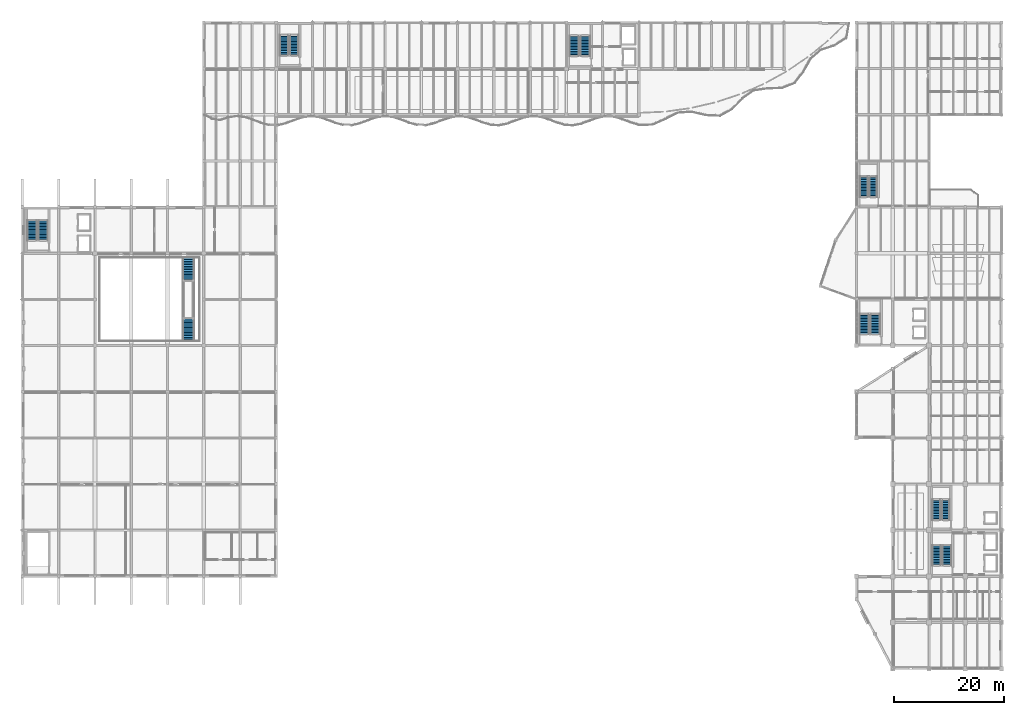
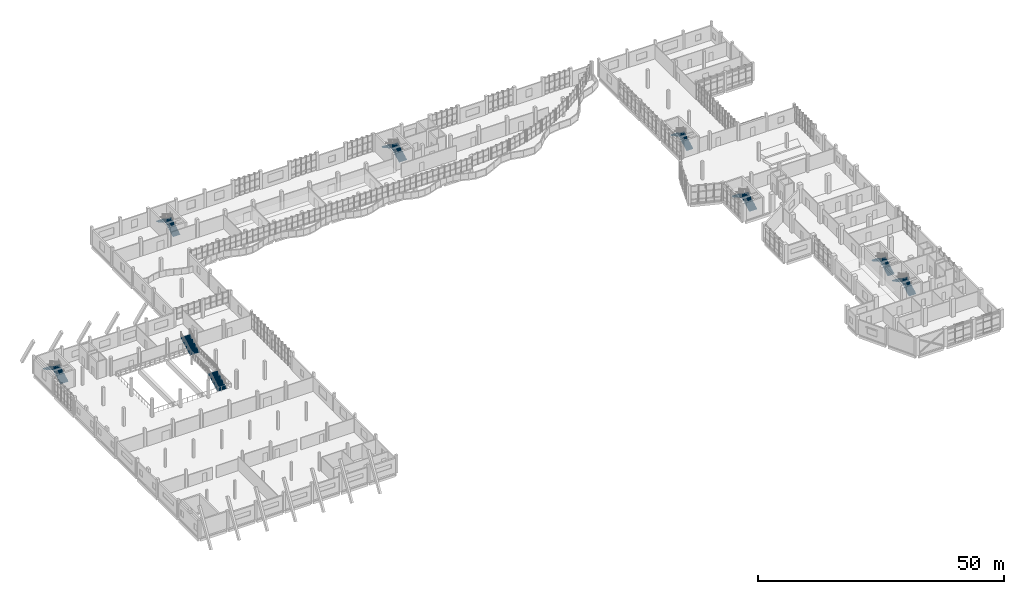
# One storey, part 55 of 76: 16 stair flights, 8 elements without a shape of their own.
"""IFC4 building model written with IfcOpenShell, lengths in metres."""

from ifc_helpers import new_model, si_unit, direction, frame, origin, place, context, subcontext, project, spatial, polyline, outline, extrude, material, type_object, element, aggregate, save


model = new_model("IFC4")

# Units and contexts
model_context = context("Model", 3, precision=1e-05, world=origin(), true_north=direction((0.0, 1.0)))
body_context = subcontext(model_context, "Body", "Model", "MODEL_VIEW")
ifc_project = project(units=[si_unit("LENGTHUNIT", "METRE"), si_unit("AREAUNIT", "SQUARE_METRE"), si_unit("VOLUMEUNIT", "CUBIC_METRE"), si_unit("PLANEANGLEUNIT", "RADIAN"), si_unit("MASSUNIT", "GRAM", prefix="KILO")], contexts=[model_context])

# Site, building, storey
site_placement = place(None, origin())
site = spatial("IfcSite", under=ifc_project, at=site_placement, CompositionType="ELEMENT")
building_placement = place(site_placement, origin())
building = spatial("IfcBuilding", under=site, at=building_placement, Name="Qaldarim Faculty of Natural and Applied Sciences", CompositionType="ELEMENT")
storey_placement = place(building_placement, frame((0.0, 0.0, 9.89990234375)))
storey = spatial("IfcBuildingStorey", under=building, at=storey_placement, Name="L02", CompositionType="ELEMENT", Elevation=9.89990234375)

# Stair, stair flights
ifc_material = material(Name="Concrete C40/50", Category="concrete")
stair_type_1 = type_object("IfcStairType", Name="FeatureStraightStair-W2100-H4500", PredefinedType="STRAIGHT_RUN_STAIR", material=ifc_material)
stair_1_placement = place(storey_placement, origin())
stair_1 = element("IfcStair", 1, at=stair_1_placement, inside=storey, type_object=stair_type_1, Name="Atrium monumental stair L02", PredefinedType="STRAIGHT_RUN_STAIR")
stair_flight_type_1 = type_object("IfcStairFlightType", Name="FeatureFlight-W2100-14R", PredefinedType="STRAIGHT", material=ifc_material)
stair_flight_1_placement = place(storey_placement, frame((30.199951171875, 59.68505859375, 0.0), z_axis=(0.0, 0.0, 1.0), x_axis=(0.0, 1.0, 0.0)))
stair_flight_1 = element("IfcStairFlight", 2, at=stair_flight_1_placement, type_object=stair_flight_type_1, Name="Atrium monumental stair L02 flight 1", NumberOfRisers=14, NumberOfTreads=13, PredefinedType="STRAIGHT", RiserHeight=0.160714, TreadLength=0.3, context=body_context, shape_type="SweptSolid", body=[
    extrude(outline(polyline([(0.0, 0.0), (0.0, 0.16064453125), (0.300048828125, 0.16064453125), (0.300048828125, 0.321533203125), (0.60009765625, 0.321533203125), (0.60009765625, 0.482177734375), (0.89990234375, 0.482177734375), (0.89990234375, 0.642822265625), (1.199951171875, 0.642822265625), (1.199951171875, 0.803466796875), (1.5, 0.803466796875), (1.5, 0.96435546875), (1.800048828125, 0.96435546875), (1.800048828125, 1.125), (2.10009765625, 1.125), (2.10009765625, 1.28564453125), (2.39990234375, 1.28564453125), (2.39990234375, 1.446533203125), (2.699951171875, 1.446533203125), (2.699951171875, 1.607177734375), (3.0, 1.607177734375), (3.0, 1.767822265625), (3.300048828125, 1.767822265625), (3.300048828125, 1.928466796875), (3.60009765625, 1.928466796875), (3.60009765625, 2.08935546875), (3.89990234375, 2.08935546875), (3.89990234375, 2.25), (3.89990234375, 1.88525390625), (0.381103515625, 0.0), (0.0, 0.0)])), frame((0.0, 1.050048828125, 0.0), z_axis=(0.0, -1.0, 0.0), x_axis=(1.0, 0.0, 0.0)), (0.0, 0.0, 1.0), 2.10009765625),
])
stair_flight_2_placement = place(storey_placement, frame((30.199951171875, 70.81494140625, 2.25), z_axis=(0.0, 0.0, 1.0), x_axis=(0.0, 1.0, 0.0)))
stair_flight_2 = element("IfcStairFlight", 3, at=stair_flight_2_placement, type_object=stair_flight_type_1, Name="Atrium monumental stair L02 flight 2", NumberOfRisers=14, NumberOfTreads=13, PredefinedType="STRAIGHT", RiserHeight=0.160714, TreadLength=0.3, context=body_context, shape_type="SweptSolid", body=[
    extrude(outline(polyline([(0.0, 0.0), (0.0, 0.16064453125), (0.300048828125, 0.16064453125), (0.300048828125, 0.321533203125), (0.60009765625, 0.321533203125), (0.60009765625, 0.482177734375), (0.89990234375, 0.482177734375), (0.89990234375, 0.642822265625), (1.199951171875, 0.642822265625), (1.199951171875, 0.803466796875), (1.5, 0.803466796875), (1.5, 0.96435546875), (1.800048828125, 0.96435546875), (1.800048828125, 1.125), (2.10009765625, 1.125), (2.10009765625, 1.28564453125), (2.39990234375, 1.28564453125), (2.39990234375, 1.446533203125), (2.699951171875, 1.446533203125), (2.699951171875, 1.607177734375), (3.0, 1.607177734375), (3.0, 1.767822265625), (3.300048828125, 1.767822265625), (3.300048828125, 1.928466796875), (3.60009765625, 1.928466796875), (3.60009765625, 2.08935546875), (3.89990234375, 2.08935546875), (3.89990234375, 2.25), (3.89990234375, 1.88525390625), (0.381103515625, 0.0), (0.0, 0.0)])), frame((0.0, 1.050048828125, 0.0), z_axis=(0.0, -1.0, 0.0), x_axis=(1.0, 0.0, 0.0)), (0.0, 0.0, 1.0), 2.10009765625),
])
aggregate(stair_1, [stair_flight_1, stair_flight_2])

stair_type_2 = type_object("IfcStairType", Name="DoglegStair-W1500-H4500-28R", PredefinedType="HALF_TURN_STAIR", material=ifc_material)
stair_2_placement = place(storey_placement, origin())
stair_2 = element("IfcStair", 4, at=stair_2_placement, inside=storey, type_object=stair_type_2, Name="Enclosed exit stair ST-A2 L02", PredefinedType="HALF_TURN_STAIR")
stair_flight_type_2 = type_object("IfcStairFlightType", Name="StairFlight-W1500-14R", PredefinedType="STRAIGHT", material=ifc_material)
stair_flight_3_placement = place(storey_placement, frame((168.050048828125, 27.050048828125, 0.0), z_axis=(0.0, 0.0, 1.0), x_axis=(0.0, 1.0, 0.0)))
stair_flight_3 = element("IfcStairFlight", 5, at=stair_flight_3_placement, type_object=stair_flight_type_2, Name="ST-A2 L02 flight 1", NumberOfRisers=14, NumberOfTreads=13, PredefinedType="STRAIGHT", RiserHeight=0.160714286, TreadLength=0.285, context=body_context, shape_type="SweptSolid", body=[
    extrude(outline(polyline([(0.0, 0.0), (0.0, 0.16064453125), (0.284912109375, 0.16064453125), (0.284912109375, 0.321533203125), (0.570068359375, 0.321533203125), (0.570068359375, 0.482177734375), (0.85498046875, 0.482177734375), (0.85498046875, 0.642822265625), (1.139892578125, 0.642822265625), (1.139892578125, 0.803466796875), (1.425048828125, 0.803466796875), (1.425048828125, 0.96435546875), (1.7099609375, 0.96435546875), (1.7099609375, 1.125), (1.9951171875, 1.125), (1.9951171875, 1.28564453125), (2.280029296875, 1.28564453125), (2.280029296875, 1.446533203125), (2.56494140625, 1.446533203125), (2.56494140625, 1.607177734375), (2.85009765625, 1.607177734375), (2.85009765625, 1.767822265625), (3.135009765625, 1.767822265625), (3.135009765625, 1.928466796875), (3.419921875, 1.928466796875), (3.419921875, 2.08935546875), (3.705078125, 2.08935546875), (3.705078125, 2.25), (3.705078125, 1.917236328125), (0.30517578125, 0.0), (0.0, 0.0)])), frame((0.0, 0.75, 0.0), z_axis=(0.0, -1.0, 0.0), x_axis=(1.0, 0.0, 0.0)), (0.0, 0.0, 1.0), 1.5),
])
stair_flight_4_placement = place(storey_placement, frame((166.35009765625, 30.7548828125, 2.25), z_axis=(0.0, 0.0, 1.0), x_axis=(0.0, -1.0, 0.0)))
stair_flight_4 = element("IfcStairFlight", 6, at=stair_flight_4_placement, type_object=stair_flight_type_2, Name="ST-A2 L02 flight 2", NumberOfRisers=14, NumberOfTreads=13, PredefinedType="STRAIGHT", RiserHeight=0.160714286, TreadLength=0.285, context=body_context, shape_type="SweptSolid", body=[
    extrude(outline(polyline([(0.0, 0.0), (0.0, 0.16064453125), (0.284912109375, 0.16064453125), (0.284912109375, 0.321533203125), (0.570068359375, 0.321533203125), (0.570068359375, 0.482177734375), (0.85498046875, 0.482177734375), (0.85498046875, 0.642822265625), (1.139892578125, 0.642822265625), (1.139892578125, 0.803466796875), (1.425048828125, 0.803466796875), (1.425048828125, 0.96435546875), (1.7099609375, 0.96435546875), (1.7099609375, 1.125), (1.9951171875, 1.125), (1.9951171875, 1.28564453125), (2.280029296875, 1.28564453125), (2.280029296875, 1.446533203125), (2.56494140625, 1.446533203125), (2.56494140625, 1.607177734375), (2.85009765625, 1.607177734375), (2.85009765625, 1.767822265625), (3.135009765625, 1.767822265625), (3.135009765625, 1.928466796875), (3.419921875, 1.928466796875), (3.419921875, 2.08935546875), (3.705078125, 2.08935546875), (3.705078125, 2.25), (3.705078125, 1.917236328125), (0.30517578125, 0.0), (0.0, 0.0)])), frame((0.0, 0.75, 0.0), z_axis=(0.0, -1.0, 0.0), x_axis=(1.0, 0.0, 0.0)), (0.0, 0.0, 1.0), 1.5),
])
aggregate(stair_2, [stair_flight_3, stair_flight_4])

stair_3_placement = place(storey_placement, origin())
stair_3 = element("IfcStair", 7, at=stair_3_placement, inside=storey, type_object=stair_type_2, Name="Enclosed exit stair ST-C2 L02", PredefinedType="HALF_TURN_STAIR")
stair_flight_5_placement = place(storey_placement, frame((154.85009765625, 85.85009765625, 0.0), z_axis=(0.0, 0.0, 1.0), x_axis=(0.0, 1.0, 0.0)))
stair_flight_5 = element("IfcStairFlight", 8, at=stair_flight_5_placement, type_object=stair_flight_type_2, Name="ST-C2 L02 flight 1", NumberOfRisers=14, NumberOfTreads=13, PredefinedType="STRAIGHT", RiserHeight=0.160714286, TreadLength=0.285, context=body_context, shape_type="SweptSolid", body=[
    extrude(outline(polyline([(0.0, 0.0), (0.0, 0.16064453125), (0.284912109375, 0.16064453125), (0.284912109375, 0.321533203125), (0.570068359375, 0.321533203125), (0.570068359375, 0.482177734375), (0.85498046875, 0.482177734375), (0.85498046875, 0.642822265625), (1.139892578125, 0.642822265625), (1.139892578125, 0.803466796875), (1.425048828125, 0.803466796875), (1.425048828125, 0.96435546875), (1.7099609375, 0.96435546875), (1.7099609375, 1.125), (1.9951171875, 1.125), (1.9951171875, 1.28564453125), (2.280029296875, 1.28564453125), (2.280029296875, 1.446533203125), (2.56494140625, 1.446533203125), (2.56494140625, 1.607177734375), (2.85009765625, 1.607177734375), (2.85009765625, 1.767822265625), (3.135009765625, 1.767822265625), (3.135009765625, 1.928466796875), (3.419921875, 1.928466796875), (3.419921875, 2.08935546875), (3.705078125, 2.08935546875), (3.705078125, 2.25), (3.705078125, 1.917236328125), (0.30517578125, 0.0), (0.0, 0.0)])), frame((0.0, 0.75, 0.0), z_axis=(0.0, -1.0, 0.0), x_axis=(1.0, 0.0, 0.0)), (0.0, 0.0, 1.0), 1.5),
])
stair_flight_6_placement = place(storey_placement, frame((153.14990234375, 89.554931640625, 2.25), z_axis=(0.0, 0.0, 1.0), x_axis=(0.0, -1.0, 0.0)))
stair_flight_6 = element("IfcStairFlight", 9, at=stair_flight_6_placement, type_object=stair_flight_type_2, Name="ST-C2 L02 flight 2", NumberOfRisers=14, NumberOfTreads=13, PredefinedType="STRAIGHT", RiserHeight=0.160714286, TreadLength=0.285, context=body_context, shape_type="SweptSolid", body=[
    extrude(outline(polyline([(0.0, 0.0), (0.0, 0.16064453125), (0.284912109375, 0.16064453125), (0.284912109375, 0.321533203125), (0.570068359375, 0.321533203125), (0.570068359375, 0.482177734375), (0.85498046875, 0.482177734375), (0.85498046875, 0.642822265625), (1.139892578125, 0.642822265625), (1.139892578125, 0.803466796875), (1.425048828125, 0.803466796875), (1.425048828125, 0.96435546875), (1.7099609375, 0.96435546875), (1.7099609375, 1.125), (1.9951171875, 1.125), (1.9951171875, 1.28564453125), (2.280029296875, 1.28564453125), (2.280029296875, 1.446533203125), (2.56494140625, 1.446533203125), (2.56494140625, 1.607177734375), (2.85009765625, 1.607177734375), (2.85009765625, 1.767822265625), (3.135009765625, 1.767822265625), (3.135009765625, 1.928466796875), (3.419921875, 1.928466796875), (3.419921875, 2.08935546875), (3.705078125, 2.08935546875), (3.705078125, 2.25), (3.705078125, 1.917236328125), (0.30517578125, 0.0), (0.0, 0.0)])), frame((0.0, 0.75, 0.0), z_axis=(0.0, -1.0, 0.0), x_axis=(1.0, 0.0, 0.0)), (0.0, 0.0, 1.0), 1.5),
])
aggregate(stair_3, [stair_flight_5, stair_flight_6])

stair_type_3 = type_object("IfcStairType", Name="DoglegStair-W1650-H4500-28R", PredefinedType="HALF_TURN_STAIR", material=ifc_material)
stair_4_placement = place(storey_placement, origin())
stair_4 = element("IfcStair", 10, at=stair_4_placement, inside=storey, type_object=stair_type_3, Name="Enclosed exit stair ST-A1 L02", PredefinedType="HALF_TURN_STAIR")
stair_flight_type_3 = type_object("IfcStairFlightType", Name="StairFlight-W1650-14R", PredefinedType="STRAIGHT", material=ifc_material)
stair_flight_7_placement = place(storey_placement, frame((168.27490234375, 18.75, 0.0), z_axis=(0.0, 0.0, 1.0), x_axis=(0.0, 1.0, 0.0)))
stair_flight_7 = element("IfcStairFlight", 11, at=stair_flight_7_placement, type_object=stair_flight_type_3, Name="ST-A1 L02 flight 1", NumberOfRisers=14, NumberOfTreads=13, PredefinedType="STRAIGHT", RiserHeight=0.160714286, TreadLength=0.285, context=body_context, shape_type="SweptSolid", body=[
    extrude(outline(polyline([(0.0, 0.0), (0.0, 0.16064453125), (0.284912109375, 0.16064453125), (0.284912109375, 0.321533203125), (0.570068359375, 0.321533203125), (0.570068359375, 0.482177734375), (0.85498046875, 0.482177734375), (0.85498046875, 0.642822265625), (1.139892578125, 0.642822265625), (1.139892578125, 0.803466796875), (1.425048828125, 0.803466796875), (1.425048828125, 0.96435546875), (1.7099609375, 0.96435546875), (1.7099609375, 1.125), (1.9951171875, 1.125), (1.9951171875, 1.28564453125), (2.280029296875, 1.28564453125), (2.280029296875, 1.446533203125), (2.56494140625, 1.446533203125), (2.56494140625, 1.607177734375), (2.85009765625, 1.607177734375), (2.85009765625, 1.767822265625), (3.135009765625, 1.767822265625), (3.135009765625, 1.928466796875), (3.419921875, 1.928466796875), (3.419921875, 2.08935546875), (3.705078125, 2.08935546875), (3.705078125, 2.25), (3.705078125, 1.917236328125), (0.30517578125, 0.0), (0.0, 0.0)])), frame((0.0, 0.824951171875, 0.0), z_axis=(0.0, -1.0, 0.0), x_axis=(1.0, 0.0, 0.0)), (0.0, 0.0, 1.0), 1.64990234375),
])
stair_flight_8_placement = place(storey_placement, frame((166.425048828125, 22.455078125, 2.25), z_axis=(0.0, 0.0, 1.0), x_axis=(0.0, -1.0, 0.0)))
stair_flight_8 = element("IfcStairFlight", 12, at=stair_flight_8_placement, type_object=stair_flight_type_3, Name="ST-A1 L02 flight 2", NumberOfRisers=14, NumberOfTreads=13, PredefinedType="STRAIGHT", RiserHeight=0.160714286, TreadLength=0.285, context=body_context, shape_type="SweptSolid", body=[
    extrude(outline(polyline([(0.0, 0.0), (0.0, 0.16064453125), (0.284912109375, 0.16064453125), (0.284912109375, 0.321533203125), (0.570068359375, 0.321533203125), (0.570068359375, 0.482177734375), (0.85498046875, 0.482177734375), (0.85498046875, 0.642822265625), (1.139892578125, 0.642822265625), (1.139892578125, 0.803466796875), (1.425048828125, 0.803466796875), (1.425048828125, 0.96435546875), (1.7099609375, 0.96435546875), (1.7099609375, 1.125), (1.9951171875, 1.125), (1.9951171875, 1.28564453125), (2.280029296875, 1.28564453125), (2.280029296875, 1.446533203125), (2.56494140625, 1.446533203125), (2.56494140625, 1.607177734375), (2.85009765625, 1.607177734375), (2.85009765625, 1.767822265625), (3.135009765625, 1.767822265625), (3.135009765625, 1.928466796875), (3.419921875, 1.928466796875), (3.419921875, 2.08935546875), (3.705078125, 2.08935546875), (3.705078125, 2.25), (3.705078125, 1.917236328125), (0.30517578125, 0.0), (0.0, 0.0)])), frame((0.0, 0.824951171875, 0.0), z_axis=(0.0, -1.0, 0.0), x_axis=(1.0, 0.0, 0.0)), (0.0, 0.0, 1.0), 1.64990234375),
])
aggregate(stair_4, [stair_flight_7, stair_flight_8])

stair_5_placement = place(storey_placement, origin())
stair_5 = element("IfcStair", 13, at=stair_5_placement, inside=storey, type_object=stair_type_3, Name="Enclosed exit stair ST-B2 L02", PredefinedType="HALF_TURN_STAIR")
stair_flight_9_placement = place(storey_placement, frame((49.47509765625, 111.60009765625, 0.0), z_axis=(0.0, 0.0, 1.0), x_axis=(0.0, 1.0, 0.0)))
stair_flight_9 = element("IfcStairFlight", 14, at=stair_flight_9_placement, type_object=stair_flight_type_3, Name="ST-B2 L02 flight 1", NumberOfRisers=14, NumberOfTreads=13, PredefinedType="STRAIGHT", RiserHeight=0.160714286, TreadLength=0.285, context=body_context, shape_type="SweptSolid", body=[
    extrude(outline(polyline([(0.0, 0.0), (0.0, 0.16064453125), (0.284912109375, 0.16064453125), (0.284912109375, 0.321533203125), (0.570068359375, 0.321533203125), (0.570068359375, 0.482177734375), (0.85498046875, 0.482177734375), (0.85498046875, 0.642822265625), (1.139892578125, 0.642822265625), (1.139892578125, 0.803466796875), (1.425048828125, 0.803466796875), (1.425048828125, 0.96435546875), (1.7099609375, 0.96435546875), (1.7099609375, 1.125), (1.9951171875, 1.125), (1.9951171875, 1.28564453125), (2.280029296875, 1.28564453125), (2.280029296875, 1.446533203125), (2.56494140625, 1.446533203125), (2.56494140625, 1.607177734375), (2.85009765625, 1.607177734375), (2.85009765625, 1.767822265625), (3.135009765625, 1.767822265625), (3.135009765625, 1.928466796875), (3.419921875, 1.928466796875), (3.419921875, 2.08935546875), (3.705078125, 2.08935546875), (3.705078125, 2.25), (3.705078125, 1.917236328125), (0.30517578125, 0.0), (0.0, 0.0)])), frame((0.0, 0.824951171875, 0.0), z_axis=(0.0, -1.0, 0.0), x_axis=(1.0, 0.0, 0.0)), (0.0, 0.0, 1.0), 1.64990234375),
])
stair_flight_10_placement = place(storey_placement, frame((47.625, 115.304931640625, 2.25), z_axis=(0.0, 0.0, 1.0), x_axis=(0.0, -1.0, 0.0)))
stair_flight_10 = element("IfcStairFlight", 15, at=stair_flight_10_placement, type_object=stair_flight_type_3, Name="ST-B2 L02 flight 2", NumberOfRisers=14, NumberOfTreads=13, PredefinedType="STRAIGHT", RiserHeight=0.160714286, TreadLength=0.285, context=body_context, shape_type="SweptSolid", body=[
    extrude(outline(polyline([(0.0, 0.0), (0.0, 0.16064453125), (0.284912109375, 0.16064453125), (0.284912109375, 0.321533203125), (0.570068359375, 0.321533203125), (0.570068359375, 0.482177734375), (0.85498046875, 0.482177734375), (0.85498046875, 0.642822265625), (1.139892578125, 0.642822265625), (1.139892578125, 0.803466796875), (1.425048828125, 0.803466796875), (1.425048828125, 0.96435546875), (1.7099609375, 0.96435546875), (1.7099609375, 1.125), (1.9951171875, 1.125), (1.9951171875, 1.28564453125), (2.280029296875, 1.28564453125), (2.280029296875, 1.446533203125), (2.56494140625, 1.446533203125), (2.56494140625, 1.607177734375), (2.85009765625, 1.607177734375), (2.85009765625, 1.767822265625), (3.135009765625, 1.767822265625), (3.135009765625, 1.928466796875), (3.419921875, 1.928466796875), (3.419921875, 2.08935546875), (3.705078125, 2.08935546875), (3.705078125, 2.25), (3.705078125, 1.917236328125), (0.30517578125, 0.0), (0.0, 0.0)])), frame((0.0, 0.824951171875, 0.0), z_axis=(0.0, -1.0, 0.0), x_axis=(1.0, 0.0, 0.0)), (0.0, 0.0, 1.0), 1.64990234375),
])
aggregate(stair_5, [stair_flight_9, stair_flight_10])

stair_type_4 = type_object("IfcStairType", Name="DoglegStair-W1800-H4500-28R", PredefinedType="HALF_TURN_STAIR", material=ifc_material)
stair_6_placement = place(storey_placement, origin())
stair_6 = element("IfcStair", 16, at=stair_6_placement, inside=storey, type_object=stair_type_4, Name="Enclosed exit stair ST-B1 L02", PredefinedType="HALF_TURN_STAIR")
stair_flight_type_4 = type_object("IfcStairFlightType", Name="StairFlight-W1800-14R", PredefinedType="STRAIGHT", material=ifc_material)
stair_flight_11_placement = place(storey_placement, frame((102.449951171875, 111.5, 0.0), z_axis=(0.0, 0.0, 1.0), x_axis=(0.0, 1.0, 0.0)))
stair_flight_11 = element("IfcStairFlight", 17, at=stair_flight_11_placement, type_object=stair_flight_type_4, Name="ST-B1 L02 flight 1", NumberOfRisers=14, NumberOfTreads=13, PredefinedType="STRAIGHT", RiserHeight=0.160714286, TreadLength=0.285, context=body_context, shape_type="SweptSolid", body=[
    extrude(outline(polyline([(0.0, 0.0), (0.0, 0.16064453125), (0.284912109375, 0.16064453125), (0.284912109375, 0.321533203125), (0.570068359375, 0.321533203125), (0.570068359375, 0.482177734375), (0.85498046875, 0.482177734375), (0.85498046875, 0.642822265625), (1.139892578125, 0.642822265625), (1.139892578125, 0.803466796875), (1.425048828125, 0.803466796875), (1.425048828125, 0.96435546875), (1.7099609375, 0.96435546875), (1.7099609375, 1.125), (1.9951171875, 1.125), (1.9951171875, 1.28564453125), (2.280029296875, 1.28564453125), (2.280029296875, 1.446533203125), (2.56494140625, 1.446533203125), (2.56494140625, 1.607177734375), (2.85009765625, 1.607177734375), (2.85009765625, 1.767822265625), (3.135009765625, 1.767822265625), (3.135009765625, 1.928466796875), (3.419921875, 1.928466796875), (3.419921875, 2.08935546875), (3.705078125, 2.08935546875), (3.705078125, 2.25), (3.705078125, 1.917236328125), (0.30517578125, 0.0), (0.0, 0.0)])), frame((0.0, 0.89990234375, 0.0), z_axis=(0.0, -1.0, 0.0), x_axis=(1.0, 0.0, 0.0)), (0.0, 0.0, 1.0), 1.800048828125),
])
stair_flight_12_placement = place(storey_placement, frame((100.449951171875, 115.205078125, 2.25), z_axis=(0.0, 0.0, 1.0), x_axis=(0.0, -1.0, 0.0)))
stair_flight_12 = element("IfcStairFlight", 18, at=stair_flight_12_placement, type_object=stair_flight_type_4, Name="ST-B1 L02 flight 2", NumberOfRisers=14, NumberOfTreads=13, PredefinedType="STRAIGHT", RiserHeight=0.160714286, TreadLength=0.285, context=body_context, shape_type="SweptSolid", body=[
    extrude(outline(polyline([(0.0, 0.0), (0.0, 0.16064453125), (0.284912109375, 0.16064453125), (0.284912109375, 0.321533203125), (0.570068359375, 0.321533203125), (0.570068359375, 0.482177734375), (0.85498046875, 0.482177734375), (0.85498046875, 0.642822265625), (1.139892578125, 0.642822265625), (1.139892578125, 0.803466796875), (1.425048828125, 0.803466796875), (1.425048828125, 0.96435546875), (1.7099609375, 0.96435546875), (1.7099609375, 1.125), (1.9951171875, 1.125), (1.9951171875, 1.28564453125), (2.280029296875, 1.28564453125), (2.280029296875, 1.446533203125), (2.56494140625, 1.446533203125), (2.56494140625, 1.607177734375), (2.85009765625, 1.607177734375), (2.85009765625, 1.767822265625), (3.135009765625, 1.767822265625), (3.135009765625, 1.928466796875), (3.419921875, 1.928466796875), (3.419921875, 2.08935546875), (3.705078125, 2.08935546875), (3.705078125, 2.25), (3.705078125, 1.917236328125), (0.30517578125, 0.0), (0.0, 0.0)])), frame((0.0, 0.89990234375, 0.0), z_axis=(0.0, -1.0, 0.0), x_axis=(1.0, 0.0, 0.0)), (0.0, 0.0, 1.0), 1.800048828125),
])
aggregate(stair_6, [stair_flight_11, stair_flight_12])

stair_7_placement = place(storey_placement, origin())
stair_7 = element("IfcStair", 19, at=stair_7_placement, inside=storey, type_object=stair_type_4, Name="Enclosed exit stair ST-C1 L02", PredefinedType="HALF_TURN_STAIR")
stair_flight_13_placement = place(storey_placement, frame((155.25, 60.85009765625, 0.0), z_axis=(0.0, 0.0, 1.0), x_axis=(0.0, 1.0, 0.0)))
stair_flight_13 = element("IfcStairFlight", 20, at=stair_flight_13_placement, type_object=stair_flight_type_4, Name="ST-C1 L02 flight 1", NumberOfRisers=14, NumberOfTreads=13, PredefinedType="STRAIGHT", RiserHeight=0.160714286, TreadLength=0.285, context=body_context, shape_type="SweptSolid", body=[
    extrude(outline(polyline([(0.0, 0.0), (0.0, 0.16064453125), (0.284912109375, 0.16064453125), (0.284912109375, 0.321533203125), (0.570068359375, 0.321533203125), (0.570068359375, 0.482177734375), (0.85498046875, 0.482177734375), (0.85498046875, 0.642822265625), (1.139892578125, 0.642822265625), (1.139892578125, 0.803466796875), (1.425048828125, 0.803466796875), (1.425048828125, 0.96435546875), (1.7099609375, 0.96435546875), (1.7099609375, 1.125), (1.9951171875, 1.125), (1.9951171875, 1.28564453125), (2.280029296875, 1.28564453125), (2.280029296875, 1.446533203125), (2.56494140625, 1.446533203125), (2.56494140625, 1.607177734375), (2.85009765625, 1.607177734375), (2.85009765625, 1.767822265625), (3.135009765625, 1.767822265625), (3.135009765625, 1.928466796875), (3.419921875, 1.928466796875), (3.419921875, 2.08935546875), (3.705078125, 2.08935546875), (3.705078125, 2.25), (3.705078125, 1.917236328125), (0.30517578125, 0.0), (0.0, 0.0)])), frame((0.0, 0.89990234375, 0.0), z_axis=(0.0, -1.0, 0.0), x_axis=(1.0, 0.0, 0.0)), (0.0, 0.0, 1.0), 1.800048828125),
])
stair_flight_14_placement = place(storey_placement, frame((153.25, 64.554931640625, 2.25), z_axis=(0.0, 0.0, 1.0), x_axis=(0.0, -1.0, 0.0)))
stair_flight_14 = element("IfcStairFlight", 21, at=stair_flight_14_placement, type_object=stair_flight_type_4, Name="ST-C1 L02 flight 2", NumberOfRisers=14, NumberOfTreads=13, PredefinedType="STRAIGHT", RiserHeight=0.160714286, TreadLength=0.285, context=body_context, shape_type="SweptSolid", body=[
    extrude(outline(polyline([(0.0, 0.0), (0.0, 0.16064453125), (0.284912109375, 0.16064453125), (0.284912109375, 0.321533203125), (0.570068359375, 0.321533203125), (0.570068359375, 0.482177734375), (0.85498046875, 0.482177734375), (0.85498046875, 0.642822265625), (1.139892578125, 0.642822265625), (1.139892578125, 0.803466796875), (1.425048828125, 0.803466796875), (1.425048828125, 0.96435546875), (1.7099609375, 0.96435546875), (1.7099609375, 1.125), (1.9951171875, 1.125), (1.9951171875, 1.28564453125), (2.280029296875, 1.28564453125), (2.280029296875, 1.446533203125), (2.56494140625, 1.446533203125), (2.56494140625, 1.607177734375), (2.85009765625, 1.607177734375), (2.85009765625, 1.767822265625), (3.135009765625, 1.767822265625), (3.135009765625, 1.928466796875), (3.419921875, 1.928466796875), (3.419921875, 2.08935546875), (3.705078125, 2.08935546875), (3.705078125, 2.25), (3.705078125, 1.917236328125), (0.30517578125, 0.0), (0.0, 0.0)])), frame((0.0, 0.89990234375, 0.0), z_axis=(0.0, -1.0, 0.0), x_axis=(1.0, 0.0, 0.0)), (0.0, 0.0, 1.0), 1.800048828125),
])
aggregate(stair_7, [stair_flight_13, stair_flight_14])

stair_8_placement = place(storey_placement, origin())
stair_8 = element("IfcStair", 22, at=stair_8_placement, inside=storey, type_object=stair_type_4, Name="Enclosed exit stair ST-D2 L02", PredefinedType="HALF_TURN_STAIR")
stair_flight_15_placement = place(storey_placement, frame((3.75, 77.89990234375, 0.0), z_axis=(0.0, 0.0, 1.0), x_axis=(0.0, 1.0, 0.0)))
stair_flight_15 = element("IfcStairFlight", 23, at=stair_flight_15_placement, type_object=stair_flight_type_4, Name="ST-D2 L02 flight 1", NumberOfRisers=14, NumberOfTreads=13, PredefinedType="STRAIGHT", RiserHeight=0.160714286, TreadLength=0.285, context=body_context, shape_type="SweptSolid", body=[
    extrude(outline(polyline([(0.0, 0.0), (0.0, 0.16064453125), (0.284912109375, 0.16064453125), (0.284912109375, 0.321533203125), (0.570068359375, 0.321533203125), (0.570068359375, 0.482177734375), (0.85498046875, 0.482177734375), (0.85498046875, 0.642822265625), (1.139892578125, 0.642822265625), (1.139892578125, 0.803466796875), (1.425048828125, 0.803466796875), (1.425048828125, 0.96435546875), (1.7099609375, 0.96435546875), (1.7099609375, 1.125), (1.9951171875, 1.125), (1.9951171875, 1.28564453125), (2.280029296875, 1.28564453125), (2.280029296875, 1.446533203125), (2.56494140625, 1.446533203125), (2.56494140625, 1.607177734375), (2.85009765625, 1.607177734375), (2.85009765625, 1.767822265625), (3.135009765625, 1.767822265625), (3.135009765625, 1.928466796875), (3.419921875, 1.928466796875), (3.419921875, 2.08935546875), (3.705078125, 2.08935546875), (3.705078125, 2.25), (3.705078125, 1.917236328125), (0.30517578125, 0.0), (0.0, 0.0)])), frame((0.0, 0.89990234375, 0.0), z_axis=(0.0, -1.0, 0.0), x_axis=(1.0, 0.0, 0.0)), (0.0, 0.0, 1.0), 1.800048828125),
])
stair_flight_16_placement = place(storey_placement, frame((1.75, 81.60498046875, 2.25), z_axis=(0.0, 0.0, 1.0), x_axis=(0.0, -1.0, 0.0)))
stair_flight_16 = element("IfcStairFlight", 24, at=stair_flight_16_placement, type_object=stair_flight_type_4, Name="ST-D2 L02 flight 2", NumberOfRisers=14, NumberOfTreads=13, PredefinedType="STRAIGHT", RiserHeight=0.160714286, TreadLength=0.285, context=body_context, shape_type="SweptSolid", body=[
    extrude(outline(polyline([(0.0, 0.0), (0.0, 0.16064453125), (0.284912109375, 0.16064453125), (0.284912109375, 0.321533203125), (0.570068359375, 0.321533203125), (0.570068359375, 0.482177734375), (0.85498046875, 0.482177734375), (0.85498046875, 0.642822265625), (1.139892578125, 0.642822265625), (1.139892578125, 0.803466796875), (1.425048828125, 0.803466796875), (1.425048828125, 0.96435546875), (1.7099609375, 0.96435546875), (1.7099609375, 1.125), (1.9951171875, 1.125), (1.9951171875, 1.28564453125), (2.280029296875, 1.28564453125), (2.280029296875, 1.446533203125), (2.56494140625, 1.446533203125), (2.56494140625, 1.607177734375), (2.85009765625, 1.607177734375), (2.85009765625, 1.767822265625), (3.135009765625, 1.767822265625), (3.135009765625, 1.928466796875), (3.419921875, 1.928466796875), (3.419921875, 2.08935546875), (3.705078125, 2.08935546875), (3.705078125, 2.25), (3.705078125, 1.917236328125), (0.30517578125, 0.0), (0.0, 0.0)])), frame((0.0, 0.89990234375, 0.0), z_axis=(0.0, -1.0, 0.0), x_axis=(1.0, 0.0, 0.0)), (0.0, 0.0, 1.0), 1.800048828125),
])
aggregate(stair_8, [stair_flight_15, stair_flight_16])

save(model, "model.ifc")
